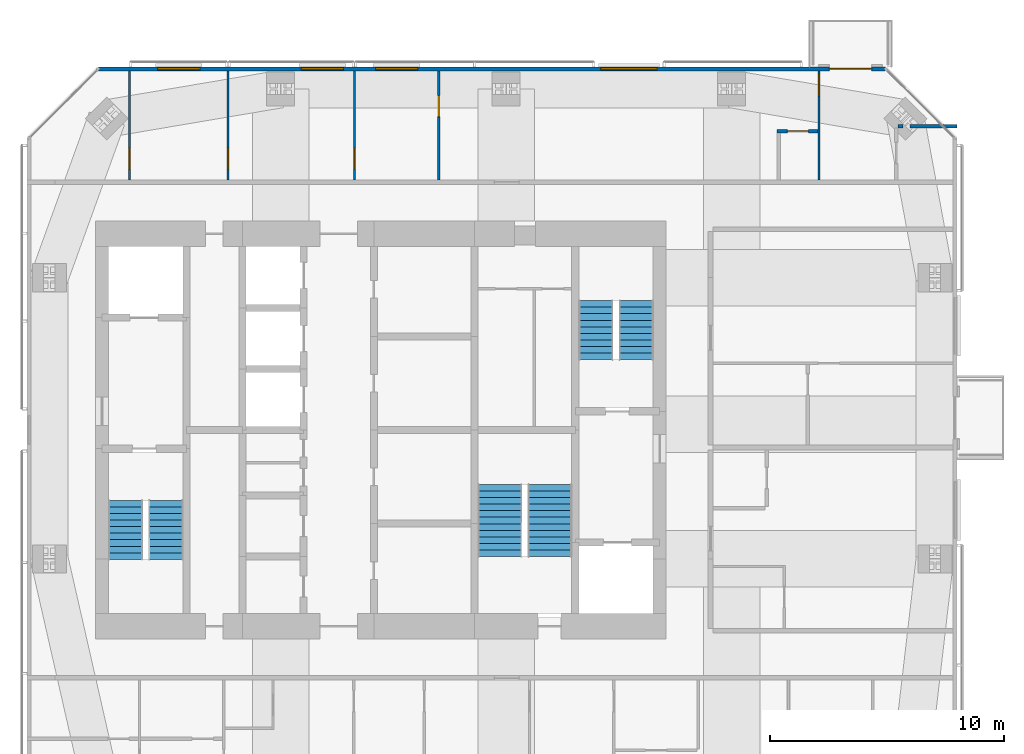
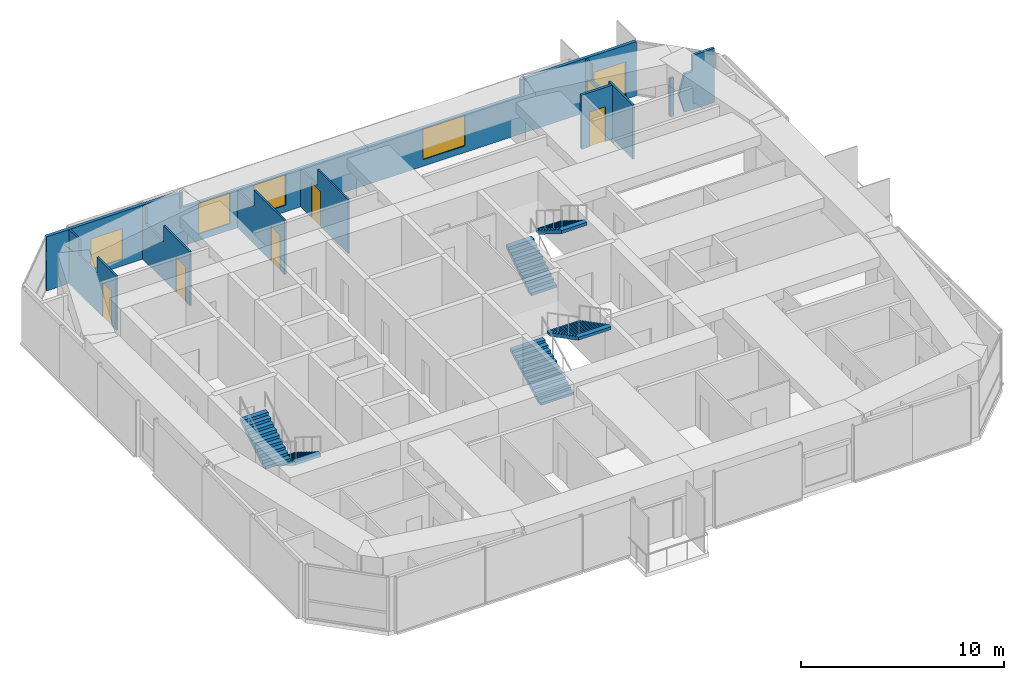
# One storey, part 17 of 18: 9 walls, 7 doors, 6 stair flights, 4 windows, 11 openings, 3 elements without a shape of their own.
"""IFC4 building model written with IfcOpenShell, lengths in metres."""

from ifc_helpers import new_model, si_unit, direction, frame, frame_2d, origin, place, context, subcontext, project, spatial, polyline, rectangle, outline, extrude, material, constituent, constituent_set, type_object, element, fill, aggregate, save


model = new_model("IFC4")

# Units and contexts
model_context = context("Model", 3, precision=1e-05, world=origin(), true_north=direction((0.0, 1.0)))
body_context = subcontext(model_context, "Body", "Model", "MODEL_VIEW")
ifc_project = project(units=[si_unit("LENGTHUNIT", "METRE"), si_unit("AREAUNIT", "SQUARE_METRE"), si_unit("VOLUMEUNIT", "CUBIC_METRE"), si_unit("PLANEANGLEUNIT", "RADIAN"), si_unit("MASSUNIT", "GRAM", prefix="KILO")], contexts=[model_context])

# Site, building, storey
site_placement = place(None, origin())
site = spatial("IfcSite", under=ifc_project, at=site_placement, CompositionType="ELEMENT")
building_placement = place(site_placement, origin())
building = spatial("IfcBuilding", under=site, at=building_placement, Name="Jalousie Tower", CompositionType="ELEMENT")
storey_placement = place(building_placement, frame((0.0, 0.0, 252.949951171875)))
storey = spatial("IfcBuildingStorey", under=building, at=storey_placement, Name="L69", CompositionType="ELEMENT", Elevation=252.949951171875)

# Walls
ifc_material_1 = material(Name="Concrete block ASTM C90", Category="concrete")
ifc_constituent_1 = constituent(ifc_material_1, Name="Body")
ifc_material_2 = material(Name="Render")
ifc_constituent_2 = constituent(ifc_material_2, Name="Finish")
ifc_constituent_set_1 = constituent_set(constituents=[ifc_constituent_1, ifc_constituent_2])
wall_type_1 = type_object("IfcWallType", Name="BATHROOM WALL 150", PredefinedType="PLUMBINGWALL", material=ifc_constituent_set_1)
wall_1_placement = place(storey_placement, frame((53.97509765625, 31.47509765625, 0.0), z_axis=(0.0, 0.0, 1.0), x_axis=(1.0, 0.0, 0.0)))
element("IfcWall", 1, at=wall_1_placement, inside=storey, type_object=wall_type_1, Name="Bathroom Wall 150 L69-A", PredefinedType="PLUMBINGWALL", context=body_context, shape_type="SweptSolid", body=[
    extrude(rectangle(XDim=0.216796875, YDim=0.14990234375, at=frame_2d((0.1083984375, 0.0))), origin(), (0.0, 0.0, 1.0), 2.300048828125),
])
wall_2_placement = place(storey_placement, frame((54.47802734375, 31.47509765625, 0.0), z_axis=(0.0, 0.0, 1.0), x_axis=(1.0, 0.0, 0.0)))
element("IfcWall", 2, at=wall_2_placement, inside=storey, type_object=wall_type_1, Name="Bathroom Wall 150 L69-B", PredefinedType="PLUMBINGWALL", context=body_context, shape_type="SweptSolid", body=[
    extrude(outline(polyline([(0.773681640625, 3.260009765625), (0.773681640625, 2.300048828125), (0.3251953125, 2.300048828125), (0.0, 1.150146484375), (0.3251953125, 0.0), (2.02197265625, 0.0), (2.02197265625, 3.260009765625), (0.773681640625, 3.260009765625)])), frame((0.0, 0.074951171875, 0.0), z_axis=(0.0, -1.0, 0.0), x_axis=(1.0, 0.0, 0.0)), (0.0, 0.0, 1.0), 0.14990234375),
])

# Wall, opening, door
wall_3_placement = place(storey_placement, frame((50.552490234375, 31.25, 0.0), z_axis=(0.0, 0.0, 1.0), x_axis=(-1.0, 0.0, 0.0)))
wall_3 = element("IfcWall", 3, at=wall_3_placement, inside=storey, type_object=wall_type_1, Name="Bathroom Wall 150 L69", PredefinedType="PLUMBINGWALL", context=body_context, shape_type="SweptSolid", body=[
    extrude(rectangle(XDim=1.75, YDim=0.14990234375, at=frame_2d((0.875, 0.0))), origin(), (0.0, 0.0, 1.0), 3.260009765625),
])
opening_1_placement = place(wall_3_placement, frame((0.39990234375, 0.0, 0.0)))
opening_1 = element("IfcOpeningElement", 4, at=opening_1_placement, cuts=wall_3, Name="Opening D7", PredefinedType="OPENING", context=body_context, shape_type="SweptSolid", body=[
    extrude(rectangle(XDim=0.89990234375, YDim=2.10009765625, at=frame_2d((0.449951171875, 1.050048828125))), frame((0.0, 0.0849609375, 0.0), z_axis=(0.0, -1.0, 0.0), x_axis=(1.0, 0.0, 0.0)), (0.0, 0.0, 1.0), 0.169921875),
])
ifc_material_3 = material(Name="Timber door", Category="wood")
door_type_1 = type_object("IfcDoorType", Name="INTERNAL DOOR 900", OperationType="SINGLE_SWING_LEFT", PredefinedType="DOOR", material=ifc_material_3)
door_1_placement = place(opening_1_placement, origin())
door_1 = element("IfcDoor", 5, at=door_1_placement, inside=storey, type_object=door_type_1, Name="Apartment 6902 guest WC door", OperationType="SINGLE_SWING_RIGHT", OverallHeight=2.10009765625, OverallWidth=0.89990234375, PredefinedType="DOOR", context=body_context, shape_type="SweptSolid", body=[
    extrude(rectangle(XDim=0.89990234375, YDim=2.10009765625, at=frame_2d((0.449951171875, 1.050048828125))), frame((0.0, 0.02490234375, 0.0), z_axis=(0.0, -1.0, 0.0), x_axis=(1.0, 0.0, 0.0)), (0.0, 0.0, 1.0), 0.050048828125),
])
fill(opening_1, door_1)

# Wall, openings, door, windows
ifc_material_4 = material(Name="Concrete f'c 40 MPa", Category="concrete")
ifc_constituent_3 = constituent(ifc_material_4, Name="Body")
ifc_material_5 = material(Name="Render, pastel sky blue")
ifc_constituent_4 = constituent(ifc_material_5, Name="Finish")
ifc_constituent_set_2 = constituent_set(constituents=[ifc_constituent_3, ifc_constituent_4])
wall_type_2 = type_object("IfcWallType", Name="EXTERNAL WALL 175 SKY BLUE RENDER", PredefinedType="SOLIDWALL", material=ifc_constituent_set_2)
wall_4_placement = place(storey_placement, frame((53.44873046875, 33.91259765625, 0.0), z_axis=(0.0, 0.0, 1.0), x_axis=(-1.0, 0.0, 0.0)))
wall_4 = element("IfcWall", 6, at=wall_4_placement, inside=storey, type_object=wall_type_2, Name="External Wall 175 Sky Blue Render L69", PredefinedType="SOLIDWALL", context=body_context, shape_type="SweptSolid", body=[
    extrude(outline(polyline([(0.0, 0.0), (33.597412109375, 0.0), (33.597412109375, 3.260009765625), (26.03857421875, 3.260009765625), (26.03857421875, 2.300048828125), (25.955078125, 2.300048828125), (25.955078125, 3.260009765625), (25.82373046875, 3.260009765625), (25.82373046875, 2.300048828125), (6.57373046875, 2.300048828125), (6.57373046875, 3.260009765625), (6.4423828125, 3.260009765625), (6.4423828125, 2.300048828125), (6.35888671875, 2.300048828125), (6.35888671875, 3.260009765625), (0.0, 3.260009765625), (0.0, 0.0)])), frame((0.0, 0.08740234375, 0.0), z_axis=(0.0, -1.0, 0.0), x_axis=(1.0, 0.0, 0.0)), (0.0, 0.0, 1.0), 0.175048828125),
])
opening_2_placement = place(wall_4_placement, frame((0.60009765625, 0.0, 0.0)))
opening_2 = element("IfcOpeningElement", 7, at=opening_2_placement, cuts=wall_4, Name="Opening D-BAL22", PredefinedType="OPENING", context=body_context, shape_type="SweptSolid", body=[
    extrude(rectangle(XDim=1.800048828125, YDim=2.25, at=frame_2d((0.89990234375, 1.125))), frame((0.0, 0.097412109375, 0.0), z_axis=(0.0, -1.0, 0.0), x_axis=(1.0, 0.0, 0.0)), (0.0, 0.0, 1.0), 0.195068359375),
])
opening_3_placement = place(wall_4_placement, frame((9.760009765625, 0.0, 0.39990234375)))
opening_3 = element("IfcOpeningElement", 8, at=opening_3_placement, cuts=wall_4, Name="Opening W-LIV185", PredefinedType="OPENING", context=body_context, shape_type="SweptSolid", body=[
    extrude(rectangle(XDim=2.39990234375, YDim=1.85009765625, at=frame_2d((1.199951171875, 0.925048828125))), frame((0.0, 0.097412109375, 0.0), z_axis=(0.0, -1.0, 0.0), x_axis=(1.0, 0.0, 0.0)), (0.0, 0.0, 1.0), 0.195068359375),
])
opening_4_placement = place(wall_4_placement, frame((19.9736328125, 0.0, 0.39990234375)))
opening_4 = element("IfcOpeningElement", 9, at=opening_4_placement, cuts=wall_4, Name="Opening W-BED185", PredefinedType="OPENING", context=body_context, shape_type="SweptSolid", body=[
    extrude(rectangle(XDim=1.800048828125, YDim=1.85009765625, at=frame_2d((0.89990234375, 0.925048828125))), frame((0.0, 0.097412109375, 0.0), z_axis=(0.0, -1.0, 0.0), x_axis=(1.0, 0.0, 0.0)), (0.0, 0.0, 1.0), 0.195068359375),
])
opening_5_placement = place(wall_4_placement, frame((23.143798828125, 0.0, 0.39990234375)))
opening_5 = element("IfcOpeningElement", 10, at=opening_5_placement, cuts=wall_4, Name="Opening W-BED185", PredefinedType="OPENING", context=body_context, shape_type="SweptSolid", body=[
    extrude(rectangle(XDim=1.800048828125, YDim=1.85009765625, at=frame_2d((0.89990234375, 0.925048828125))), frame((0.0, 0.097412109375, 0.0), z_axis=(0.0, -1.0, 0.0), x_axis=(1.0, 0.0, 0.0)), (0.0, 0.0, 1.0), 0.195068359375),
])
opening_6_placement = place(wall_4_placement, frame((29.273193359375, 0.0, 0.39990234375)))
opening_6 = element("IfcOpeningElement", 11, at=opening_6_placement, cuts=wall_4, Name="Opening W-BED185", PredefinedType="OPENING", context=body_context, shape_type="SweptSolid", body=[
    extrude(rectangle(XDim=1.800048828125, YDim=1.85009765625, at=frame_2d((0.89990234375, 0.925048828125))), frame((0.0, 0.097412109375, 0.0), z_axis=(0.0, -1.0, 0.0), x_axis=(1.0, 0.0, 0.0)), (0.0, 0.0, 1.0), 0.195068359375),
])
ifc_material_6 = material(Name="Aluminium frame, impact-rated glazing", Category="aluminium")
door_type_2 = type_object("IfcDoorType", Name="BALCONY DOOR 1800x2250", OperationType="SLIDING_TO_LEFT", PredefinedType="DOOR", material=ifc_material_6)
door_2_placement = place(opening_2_placement, origin())
door_2 = element("IfcDoor", 12, at=door_2_placement, inside=storey, type_object=door_type_2, Name="Apartment 6902 bedroom 5 balcony door", OperationType="SLIDING_TO_LEFT", OverallHeight=2.25, OverallWidth=1.800048828125, PredefinedType="DOOR", context=body_context, shape_type="SweptSolid", body=[
    extrude(rectangle(XDim=1.800048828125, YDim=2.25, at=frame_2d((0.89990234375, 1.125))), frame((0.0, 0.02490234375, 0.0), z_axis=(0.0, -1.0, 0.0), x_axis=(1.0, 0.0, 0.0)), (0.0, 0.0, 1.0), 0.050048828125),
])
fill(opening_2, door_2)
ifc_material_7 = material(Name="Aluminium frame, impact-rated glazing", Category="aluminium")
window_type_1 = type_object("IfcWindowType", Name="WINDOW BED 1800x1850", PartitioningType="SINGLE_PANEL", PredefinedType="WINDOW", material=ifc_material_7)
window_1_placement = place(opening_4_placement, origin())
window_1 = element("IfcWindow", 13, at=window_1_placement, inside=storey, type_object=window_type_1, Name="Apartment 6902 bedroom 4 window", OverallHeight=1.85009765625, OverallWidth=1.800048828125, PartitioningType="SINGLE_PANEL", PredefinedType="WINDOW", context=body_context, shape_type="SweptSolid", body=[
    extrude(rectangle(XDim=1.800048828125, YDim=1.85009765625, at=frame_2d((0.89990234375, 0.925048828125))), frame((0.0, 0.030029296875, 0.0), z_axis=(0.0, -1.0, 0.0), x_axis=(1.0, 0.0, 0.0)), (0.0, 0.0, 1.0), 0.06005859375),
])
fill(opening_4, window_1)
window_2_placement = place(opening_5_placement, origin())
window_2 = element("IfcWindow", 14, at=window_2_placement, inside=storey, type_object=window_type_1, Name="Apartment 6902 bedroom 3 window", OverallHeight=1.85009765625, OverallWidth=1.800048828125, PartitioningType="SINGLE_PANEL", PredefinedType="WINDOW", context=body_context, shape_type="SweptSolid", body=[
    extrude(rectangle(XDim=1.800048828125, YDim=1.85009765625, at=frame_2d((0.89990234375, 0.925048828125))), frame((0.0, 0.030029296875, 0.0), z_axis=(0.0, -1.0, 0.0), x_axis=(1.0, 0.0, 0.0)), (0.0, 0.0, 1.0), 0.06005859375),
])
fill(opening_5, window_2)
window_3_placement = place(opening_6_placement, origin())
window_3 = element("IfcWindow", 15, at=window_3_placement, inside=storey, type_object=window_type_1, Name="Apartment 6902 bedroom 2 window", OverallHeight=1.85009765625, OverallWidth=1.800048828125, PartitioningType="SINGLE_PANEL", PredefinedType="WINDOW", context=body_context, shape_type="SweptSolid", body=[
    extrude(rectangle(XDim=1.800048828125, YDim=1.85009765625, at=frame_2d((0.89990234375, 0.925048828125))), frame((0.0, 0.030029296875, 0.0), z_axis=(0.0, -1.0, 0.0), x_axis=(1.0, 0.0, 0.0)), (0.0, 0.0, 1.0), 0.06005859375),
])
fill(opening_6, window_3)
ifc_material_8 = material(Name="Aluminium frame, impact-rated glazing", Category="aluminium")
window_type_2 = type_object("IfcWindowType", Name="WINDOW LIV 2400x1850", PartitioningType="DOUBLE_PANEL_VERTICAL", PredefinedType="WINDOW", material=ifc_material_8)
window_4_placement = place(opening_3_placement, origin())
window_4 = element("IfcWindow", 16, at=window_4_placement, inside=storey, type_object=window_type_2, Name="Apartment 6902 living, dining and kitchen window", OverallHeight=1.85009765625, OverallWidth=2.39990234375, PartitioningType="SINGLE_PANEL", PredefinedType="WINDOW", context=body_context, shape_type="SweptSolid", body=[
    extrude(rectangle(XDim=2.39990234375, YDim=1.85009765625, at=frame_2d((1.199951171875, 0.925048828125))), frame((0.0, 0.030029296875, 0.0), z_axis=(0.0, -1.0, 0.0), x_axis=(1.0, 0.0, 0.0)), (0.0, 0.0, 1.0), 0.06005859375),
])
fill(opening_3, window_4)

# Wall, opening, door
ifc_material_9 = material(Name="Gypsum board", Category="gypsum")
ifc_constituent_5 = constituent(ifc_material_9, Name="Body")
ifc_material_10 = material(Name="Light-gauge steel studs ASTM A653 SS Grade 33", Category="steel")
ifc_constituent_6 = constituent(ifc_material_10, Name="Framing")
ifc_constituent_set_3 = constituent_set(constituents=[ifc_constituent_5, ifc_constituent_6])
wall_type_3 = type_object("IfcWallType", Name="PARTITION 100", PredefinedType="PARTITIONING", material=ifc_constituent_set_3)
wall_5_placement = place(storey_placement, frame((21.17626953125, 33.824951171875, 0.0), z_axis=(0.0, 0.0, 1.0), x_axis=(0.0, -1.0, 0.0)))
wall_5 = element("IfcWall", 17, at=wall_5_placement, inside=storey, type_object=wall_type_3, Name="Partition 100 L69", PredefinedType="PARTITIONING", context=body_context, shape_type="SweptSolid", body=[
    extrude(outline(polyline([(0.0, 0.0), (4.64990234375, 0.0), (4.64990234375, 3.260009765625), (2.739990234375, 3.260009765625), (2.739990234375, 2.300048828125), (0.99560546875, 2.300048828125), (0.99560546875, 3.260009765625), (0.0, 3.260009765625), (0.0, 0.0)])), frame((0.0, 0.050048828125, 0.0), z_axis=(0.0, -1.0, 0.0), x_axis=(1.0, 0.0, 0.0)), (0.0, 0.0, 1.0), 0.10009765625),
])
opening_7_placement = place(wall_5_placement, frame((3.300048828125, 0.0, 0.0)))
opening_7 = element("IfcOpeningElement", 18, at=opening_7_placement, cuts=wall_5, Name="Opening D2", PredefinedType="OPENING", context=body_context, shape_type="SweptSolid", body=[
    extrude(rectangle(XDim=0.89990234375, YDim=2.10009765625, at=frame_2d((0.449951171875, 1.050048828125))), frame((0.0, 0.06005859375, 0.0), z_axis=(0.0, -1.0, 0.0), x_axis=(1.0, 0.0, 0.0)), (0.0, 0.0, 1.0), 0.1201171875),
])
ifc_material_11 = material(Name="Timber door", Category="wood")
door_type_3 = type_object("IfcDoorType", Name="BEDROOM DOOR 900", OperationType="SINGLE_SWING_LEFT", PredefinedType="DOOR", material=ifc_material_11)
door_3_placement = place(opening_7_placement, frame((0.89990234375, 0.0, 0.0), z_axis=(0.0, 0.0, 1.0), x_axis=(-1.0, 0.0, 0.0)))
door_3 = element("IfcDoor", 19, at=door_3_placement, inside=storey, type_object=door_type_3, Name="Apartment 6902 bedroom 1 door", OperationType="SINGLE_SWING_LEFT", OverallHeight=2.10009765625, OverallWidth=0.89990234375, PredefinedType="DOOR", context=body_context, shape_type="SweptSolid", body=[
    extrude(rectangle(XDim=0.89990234375, YDim=2.10009765625, at=frame_2d((0.449951171875, 1.050048828125))), frame((0.0, 0.02490234375, 0.0), z_axis=(0.0, -1.0, 0.0), x_axis=(1.0, 0.0, 0.0)), (0.0, 0.0, 1.0), 0.050048828125),
])
fill(opening_7, door_3)

wall_6_placement = place(storey_placement, frame((25.375, 33.824951171875, 0.0), z_axis=(0.0, 0.0, 1.0), x_axis=(0.0, -1.0, 0.0)))
wall_6 = element("IfcWall", 20, at=wall_6_placement, inside=storey, type_object=wall_type_3, Name="Partition 100 L69", PredefinedType="PARTITIONING", context=body_context, shape_type="SweptSolid", body=[
    extrude(outline(polyline([(0.0, 0.0), (4.64990234375, 0.0), (4.64990234375, 3.260009765625), (2.028564453125, 3.260009765625), (2.028564453125, 2.300048828125), (0.283935546875, 2.300048828125), (0.283935546875, 3.260009765625), (0.0, 3.260009765625), (0.0, 0.0)])), frame((0.0, 0.050048828125, 0.0), z_axis=(0.0, -1.0, 0.0), x_axis=(1.0, 0.0, 0.0)), (0.0, 0.0, 1.0), 0.10009765625),
])
opening_8_placement = place(wall_6_placement, frame((3.300048828125, 0.0, 0.0)))
opening_8 = element("IfcOpeningElement", 21, at=opening_8_placement, cuts=wall_6, Name="Opening D2", PredefinedType="OPENING", context=body_context, shape_type="SweptSolid", body=[
    extrude(rectangle(XDim=0.89990234375, YDim=2.10009765625, at=frame_2d((0.449951171875, 1.050048828125))), frame((0.0, 0.06005859375, 0.0), z_axis=(0.0, -1.0, 0.0), x_axis=(1.0, 0.0, 0.0)), (0.0, 0.0, 1.0), 0.1201171875),
])
door_4_placement = place(opening_8_placement, origin())
door_4 = element("IfcDoor", 22, at=door_4_placement, inside=storey, type_object=door_type_3, Name="Apartment 6902 bedroom 2 door", OperationType="SINGLE_SWING_RIGHT", OverallHeight=2.10009765625, OverallWidth=0.89990234375, PredefinedType="DOOR", context=body_context, shape_type="SweptSolid", body=[
    extrude(rectangle(XDim=0.89990234375, YDim=2.10009765625, at=frame_2d((0.449951171875, 1.050048828125))), frame((0.0, 0.02490234375, 0.0), z_axis=(0.0, -1.0, 0.0), x_axis=(1.0, 0.0, 0.0)), (0.0, 0.0, 1.0), 0.050048828125),
])
fill(opening_8, door_4)

wall_7_placement = place(storey_placement, frame((30.77490234375, 33.824951171875, 0.0), z_axis=(0.0, 0.0, 1.0), x_axis=(0.0, -1.0, 0.0)))
wall_7 = element("IfcWall", 23, at=wall_7_placement, inside=storey, type_object=wall_type_3, Name="Partition 100 L69", PredefinedType="PARTITIONING", context=body_context, shape_type="SweptSolid", body=[
    extrude(outline(polyline([(0.0, 0.0), (4.64990234375, 0.0), (4.64990234375, 3.260009765625), (1.635009765625, 3.260009765625), (1.635009765625, 2.300048828125), (0.0, 2.300048828125), (0.0, 3.260009765625), (0.0, 0.0)])), frame((0.0, 0.050048828125, 0.0), z_axis=(0.0, -1.0, 0.0), x_axis=(1.0, 0.0, 0.0)), (0.0, 0.0, 1.0), 0.10009765625),
])
opening_9_placement = place(wall_7_placement, frame((3.300048828125, 0.0, 0.0)))
opening_9 = element("IfcOpeningElement", 24, at=opening_9_placement, cuts=wall_7, Name="Opening D2", PredefinedType="OPENING", context=body_context, shape_type="SweptSolid", body=[
    extrude(rectangle(XDim=0.89990234375, YDim=2.10009765625, at=frame_2d((0.449951171875, 1.050048828125))), frame((0.0, 0.06005859375, 0.0), z_axis=(0.0, -1.0, 0.0), x_axis=(1.0, 0.0, 0.0)), (0.0, 0.0, 1.0), 0.1201171875),
])
door_5_placement = place(opening_9_placement, frame((0.89990234375, 0.0, 0.0), z_axis=(0.0, 0.0, 1.0), x_axis=(-1.0, 0.0, 0.0)))
door_5 = element("IfcDoor", 25, at=door_5_placement, inside=storey, type_object=door_type_3, Name="Apartment 6902 bedroom 3 door", OperationType="SINGLE_SWING_LEFT", OverallHeight=2.10009765625, OverallWidth=0.89990234375, PredefinedType="DOOR", context=body_context, shape_type="SweptSolid", body=[
    extrude(rectangle(XDim=0.89990234375, YDim=2.10009765625, at=frame_2d((0.449951171875, 1.050048828125))), frame((0.0, 0.02490234375, 0.0), z_axis=(0.0, -1.0, 0.0), x_axis=(1.0, 0.0, 0.0)), (0.0, 0.0, 1.0), 0.050048828125),
])
fill(opening_9, door_5)

wall_8_placement = place(storey_placement, frame((34.375, 33.824951171875, 0.0), z_axis=(0.0, 0.0, 1.0), x_axis=(0.0, -1.0, 0.0)))
wall_8 = element("IfcWall", 26, at=wall_8_placement, inside=storey, type_object=wall_type_3, Name="Partition 100 L69", PredefinedType="PARTITIONING", context=body_context, shape_type="SweptSolid", body=[
    extrude(outline(polyline([(0.0, 0.0), (4.64990234375, 0.0), (4.64990234375, 3.260009765625), (1.635009765625, 3.260009765625), (1.635009765625, 2.300048828125), (0.0, 2.300048828125), (0.0, 3.260009765625), (0.0, 0.0)])), frame((0.0, 0.050048828125, 0.0), z_axis=(0.0, -1.0, 0.0), x_axis=(1.0, 0.0, 0.0)), (0.0, 0.0, 1.0), 0.10009765625),
])
opening_10_placement = place(wall_8_placement, frame((1.050048828125, 0.0, 0.0)))
opening_10 = element("IfcOpeningElement", 27, at=opening_10_placement, cuts=wall_8, Name="Opening D2", PredefinedType="OPENING", context=body_context, shape_type="SweptSolid", body=[
    extrude(rectangle(XDim=0.89990234375, YDim=2.10009765625, at=frame_2d((0.449951171875, 1.050048828125))), frame((0.0, 0.06005859375, 0.0), z_axis=(0.0, -1.0, 0.0), x_axis=(1.0, 0.0, 0.0)), (0.0, 0.0, 1.0), 0.1201171875),
])
door_6_placement = place(opening_10_placement, frame((0.89990234375, 0.0, 0.0), z_axis=(0.0, 0.0, 1.0), x_axis=(-1.0, 0.0, 0.0)))
door_6 = element("IfcDoor", 28, at=door_6_placement, inside=storey, type_object=door_type_3, Name="Apartment 6902 bedroom 4 door", OperationType="SINGLE_SWING_RIGHT", OverallHeight=2.10009765625, OverallWidth=0.89990234375, PredefinedType="DOOR", context=body_context, shape_type="SweptSolid", body=[
    extrude(rectangle(XDim=0.89990234375, YDim=2.10009765625, at=frame_2d((0.449951171875, 1.050048828125))), frame((0.0, 0.02490234375, 0.0), z_axis=(0.0, -1.0, 0.0), x_axis=(1.0, 0.0, 0.0)), (0.0, 0.0, 1.0), 0.050048828125),
])
fill(opening_10, door_6)

wall_9_placement = place(storey_placement, frame((50.6025390625, 33.824951171875, 0.0), z_axis=(0.0, 0.0, 1.0), x_axis=(0.0, -1.0, 0.0)))
wall_9 = element("IfcWall", 29, at=wall_9_placement, inside=storey, type_object=wall_type_3, Name="Partition 100 L69", PredefinedType="PARTITIONING", context=body_context, shape_type="SweptSolid", body=[
    extrude(outline(polyline([(0.0, 0.0), (4.64990234375, 0.0), (4.64990234375, 3.260009765625), (2.279052734375, 3.260009765625), (2.279052734375, 2.300048828125), (0.534423828125, 2.300048828125), (0.534423828125, 3.260009765625), (0.0, 3.260009765625), (0.0, 0.0)])), frame((0.0, 0.050048828125, 0.0), z_axis=(0.0, -1.0, 0.0), x_axis=(1.0, 0.0, 0.0)), (0.0, 0.0, 1.0), 0.10009765625),
])
opening_11_placement = place(wall_9_placement, frame((0.14990234375, 0.0, 0.0)))
opening_11 = element("IfcOpeningElement", 30, at=opening_11_placement, cuts=wall_9, Name="Opening D2", PredefinedType="OPENING", context=body_context, shape_type="SweptSolid", body=[
    extrude(rectangle(XDim=0.89990234375, YDim=2.10009765625, at=frame_2d((0.449951171875, 1.050048828125))), frame((0.0, 0.06005859375, 0.0), z_axis=(0.0, -1.0, 0.0), x_axis=(1.0, 0.0, 0.0)), (0.0, 0.0, 1.0), 0.1201171875),
])
door_7_placement = place(opening_11_placement, origin())
door_7 = element("IfcDoor", 31, at=door_7_placement, inside=storey, type_object=door_type_3, Name="Apartment 6902 bedroom 5 door", OperationType="SINGLE_SWING_LEFT", OverallHeight=2.10009765625, OverallWidth=0.89990234375, PredefinedType="DOOR", context=body_context, shape_type="SweptSolid", body=[
    extrude(rectangle(XDim=0.89990234375, YDim=2.10009765625, at=frame_2d((0.449951171875, 1.050048828125))), frame((0.0, 0.02490234375, 0.0), z_axis=(0.0, -1.0, 0.0), x_axis=(1.0, 0.0, 0.0)), (0.0, 0.0, 1.0), 0.050048828125),
])
fill(opening_11, door_7)

# Stair, stair flights
ifc_material_12 = material(Name="Concrete f'c 40 MPa", Category="concrete")
stair_type = type_object("IfcStairType", Name="EXIT STAIR", PredefinedType="HALF_TURN_STAIR", material=ifc_material_12)
stair_1_placement = place(storey_placement, origin())
stair_1 = element("IfcStair", 32, at=stair_1_placement, inside=storey, type_object=stair_type, Name="Exit stair A L69", PredefinedType="HALF_TURN_STAIR")
ifc_material_13 = material(Name="Concrete f'c 40 MPa", Category="concrete")
stair_flight_type = type_object("IfcStairFlightType", Name="STAIR FLIGHT", PredefinedType="STRAIGHT", material=ifc_material_13)
stair_flight_1_placement = place(storey_placement, frame((22.71875, 15.49755859375, 0.0), z_axis=(0.0, 0.0, 1.0), x_axis=(0.0, -1.0, 0.0)))
stair_flight_1 = element("IfcStairFlight", 33, at=stair_flight_1_placement, type_object=stair_flight_type, Name="ST-A flight 1", NumberOfRisers=10, NumberOfTreads=9, PredefinedType="STRAIGHT", RiserHeight=0.175, TreadLength=0.28, context=body_context, shape_type="SweptSolid", body=[
    extrude(outline(polyline([(0.0, 0.0), (0.0, 0.175048828125), (0.280029296875, 0.175048828125), (0.280029296875, 0.35009765625), (0.56005859375, 0.35009765625), (0.56005859375, 0.52490234375), (0.840087890625, 0.52490234375), (0.840087890625, 0.699951171875), (1.1201171875, 0.699951171875), (1.1201171875, 0.875), (1.39990234375, 0.875), (1.39990234375, 1.050048828125), (1.679931640625, 1.050048828125), (1.679931640625, 1.22509765625), (1.9599609375, 1.22509765625), (1.9599609375, 1.39990234375), (2.239990234375, 1.39990234375), (2.239990234375, 1.574951171875), (2.52001953125, 1.574951171875), (2.52001953125, 1.75), (2.52001953125, 1.398193359375), (0.28271484375, 0.0), (0.0, 0.0)])), frame((0.0, 0.731201171875, 0.0), z_axis=(0.0, -1.0, 0.0), x_axis=(1.0, 0.0, 0.0)), (0.0, 0.0, 1.0), 1.46240234375),
])
stair_flight_2_placement = place(storey_placement, frame((21.00634765625, 12.9775390625, 1.75), z_axis=(0.0, 0.0, 1.0), x_axis=(0.0, 1.0, 0.0)))
stair_flight_2 = element("IfcStairFlight", 34, at=stair_flight_2_placement, type_object=stair_flight_type, Name="ST-A flight 2", NumberOfRisers=10, NumberOfTreads=9, PredefinedType="STRAIGHT", RiserHeight=0.175, TreadLength=0.28, context=body_context, shape_type="SweptSolid", body=[
    extrude(outline(polyline([(0.0, 0.0), (0.0, 0.175048828125), (0.280029296875, 0.175048828125), (0.280029296875, 0.35009765625), (0.56005859375, 0.35009765625), (0.56005859375, 0.52490234375), (0.840087890625, 0.52490234375), (0.840087890625, 0.699951171875), (1.1201171875, 0.699951171875), (1.1201171875, 0.875), (1.39990234375, 0.875), (1.39990234375, 1.050048828125), (1.679931640625, 1.050048828125), (1.679931640625, 1.22509765625), (1.9599609375, 1.22509765625), (1.9599609375, 1.39990234375), (2.239990234375, 1.39990234375), (2.239990234375, 1.574951171875), (2.52001953125, 1.574951171875), (2.52001953125, 1.75), (2.52001953125, 1.398193359375), (0.28271484375, 0.0), (0.0, 0.0)])), frame((0.0, 0.731201171875, 0.0), z_axis=(0.0, -1.0, 0.0), x_axis=(1.0, 0.0, 0.0)), (0.0, 0.0, 1.0), 1.46240234375),
])
aggregate(stair_1, [stair_flight_1, stair_flight_2])

stair_2_placement = place(storey_placement, origin())
stair_2 = element("IfcStair", 35, at=stair_2_placement, inside=storey, type_object=stair_type, Name="Exit stair B L69", PredefinedType="HALF_TURN_STAIR")
stair_flight_3_placement = place(storey_placement, frame((41.081298828125, 21.50244140625, 0.0), z_axis=(0.0, 0.0, 1.0), x_axis=(0.0, 1.0, 0.0)))
stair_flight_3 = element("IfcStairFlight", 36, at=stair_flight_3_placement, type_object=stair_flight_type, Name="ST-B flight 1", NumberOfRisers=10, NumberOfTreads=9, PredefinedType="STRAIGHT", RiserHeight=0.175, TreadLength=0.28, context=body_context, shape_type="SweptSolid", body=[
    extrude(outline(polyline([(0.0, 0.0), (0.0, 0.175048828125), (0.280029296875, 0.175048828125), (0.280029296875, 0.35009765625), (0.56005859375, 0.35009765625), (0.56005859375, 0.52490234375), (0.840087890625, 0.52490234375), (0.840087890625, 0.699951171875), (1.1201171875, 0.699951171875), (1.1201171875, 0.875), (1.39990234375, 0.875), (1.39990234375, 1.050048828125), (1.679931640625, 1.050048828125), (1.679931640625, 1.22509765625), (1.9599609375, 1.22509765625), (1.9599609375, 1.39990234375), (2.239990234375, 1.39990234375), (2.239990234375, 1.574951171875), (2.52001953125, 1.574951171875), (2.52001953125, 1.75), (2.52001953125, 1.398193359375), (0.28271484375, 0.0), (0.0, 0.0)])), frame((0.0, 0.731201171875, 0.0), z_axis=(0.0, -1.0, 0.0), x_axis=(1.0, 0.0, 0.0)), (0.0, 0.0, 1.0), 1.46240234375),
])
stair_flight_4_placement = place(storey_placement, frame((42.793701171875, 24.0224609375, 1.75), z_axis=(0.0, 0.0, 1.0), x_axis=(0.0, -1.0, 0.0)))
stair_flight_4 = element("IfcStairFlight", 37, at=stair_flight_4_placement, type_object=stair_flight_type, Name="ST-B flight 2", NumberOfRisers=10, NumberOfTreads=9, PredefinedType="STRAIGHT", RiserHeight=0.175, TreadLength=0.28, context=body_context, shape_type="SweptSolid", body=[
    extrude(outline(polyline([(0.0, 0.0), (0.0, 0.175048828125), (0.280029296875, 0.175048828125), (0.280029296875, 0.35009765625), (0.56005859375, 0.35009765625), (0.56005859375, 0.52490234375), (0.840087890625, 0.52490234375), (0.840087890625, 0.699951171875), (1.1201171875, 0.699951171875), (1.1201171875, 0.875), (1.39990234375, 0.875), (1.39990234375, 1.050048828125), (1.679931640625, 1.050048828125), (1.679931640625, 1.22509765625), (1.9599609375, 1.22509765625), (1.9599609375, 1.39990234375), (2.239990234375, 1.39990234375), (2.239990234375, 1.574951171875), (2.52001953125, 1.574951171875), (2.52001953125, 1.75), (2.52001953125, 1.398193359375), (0.28271484375, 0.0), (0.0, 0.0)])), frame((0.0, 0.731201171875, 0.0), z_axis=(0.0, -1.0, 0.0), x_axis=(1.0, 0.0, 0.0)), (0.0, 0.0, 1.0), 1.46240234375),
])
aggregate(stair_2, [stair_flight_3, stair_flight_4])

stair_3_placement = place(storey_placement, origin())
stair_3 = element("IfcStair", 38, at=stair_3_placement, inside=storey, type_object=stair_type, Name="Exit stair C L69", PredefinedType="HALF_TURN_STAIR")
stair_flight_5_placement = place(storey_placement, frame((36.987548828125, 13.097412109375, 0.0), z_axis=(0.0, 0.0, 1.0), x_axis=(0.0, 1.0, 0.0)))
stair_flight_5 = element("IfcStairFlight", 39, at=stair_flight_5_placement, type_object=stair_flight_type, Name="ST-C flight 1", NumberOfRisers=12, NumberOfTreads=11, PredefinedType="STRAIGHT", RiserHeight=0.145833333, TreadLength=0.28, context=body_context, shape_type="SweptSolid", body=[
    extrude(outline(polyline([(0.0, 0.0), (0.0, 0.145751953125), (0.280029296875, 0.145751953125), (0.280029296875, 0.291748046875), (0.56005859375, 0.291748046875), (0.56005859375, 0.4375), (0.840087890625, 0.4375), (0.840087890625, 0.583251953125), (1.1201171875, 0.583251953125), (1.1201171875, 0.729248046875), (1.39990234375, 0.729248046875), (1.39990234375, 0.875), (1.679931640625, 0.875), (1.679931640625, 1.020751953125), (1.9599609375, 1.020751953125), (1.9599609375, 1.166748046875), (2.239990234375, 1.166748046875), (2.239990234375, 1.3125), (2.52001953125, 1.3125), (2.52001953125, 1.458251953125), (2.800048828125, 1.458251953125), (2.800048828125, 1.604248046875), (3.080078125, 1.604248046875), (3.080078125, 1.75), (3.080078125, 1.43505859375), (0.324462890625, 0.0), (0.0, 0.0)])), frame((0.0, 0.9375, 0.0), z_axis=(0.0, -1.0, 0.0), x_axis=(1.0, 0.0, 0.0)), (0.0, 0.0, 1.0), 1.875),
])
stair_flight_6_placement = place(storey_placement, frame((39.112548828125, 16.177490234375, 1.75), z_axis=(0.0, 0.0, 1.0), x_axis=(0.0, -1.0, 0.0)))
stair_flight_6 = element("IfcStairFlight", 40, at=stair_flight_6_placement, type_object=stair_flight_type, Name="ST-C flight 2", NumberOfRisers=12, NumberOfTreads=11, PredefinedType="STRAIGHT", RiserHeight=0.145833333, TreadLength=0.28, context=body_context, shape_type="SweptSolid", body=[
    extrude(outline(polyline([(0.0, 0.0), (0.0, 0.145751953125), (0.280029296875, 0.145751953125), (0.280029296875, 0.291748046875), (0.56005859375, 0.291748046875), (0.56005859375, 0.4375), (0.840087890625, 0.4375), (0.840087890625, 0.583251953125), (1.1201171875, 0.583251953125), (1.1201171875, 0.729248046875), (1.39990234375, 0.729248046875), (1.39990234375, 0.875), (1.679931640625, 0.875), (1.679931640625, 1.020751953125), (1.9599609375, 1.020751953125), (1.9599609375, 1.166748046875), (2.239990234375, 1.166748046875), (2.239990234375, 1.3125), (2.52001953125, 1.3125), (2.52001953125, 1.458251953125), (2.800048828125, 1.458251953125), (2.800048828125, 1.604248046875), (3.080078125, 1.604248046875), (3.080078125, 1.75), (3.080078125, 1.43505859375), (0.324462890625, 0.0), (0.0, 0.0)])), frame((0.0, 0.9375, 0.0), z_axis=(0.0, -1.0, 0.0), x_axis=(1.0, 0.0, 0.0)), (0.0, 0.0, 1.0), 1.875),
])
aggregate(stair_3, [stair_flight_5, stair_flight_6])

save(model, "model.ifc")
